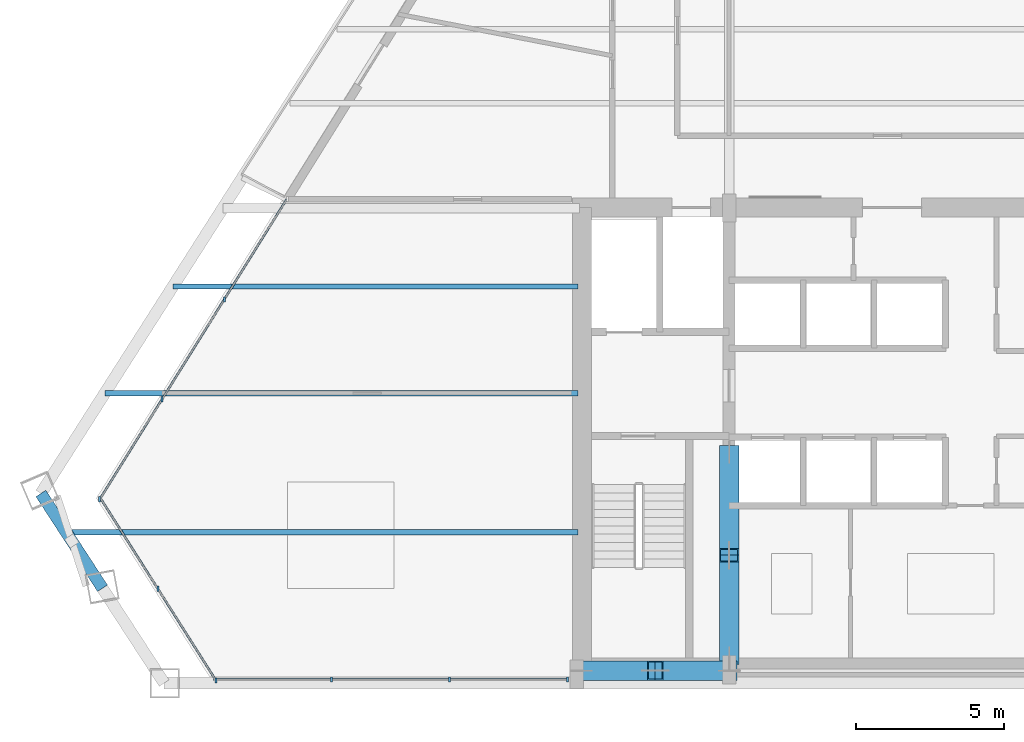
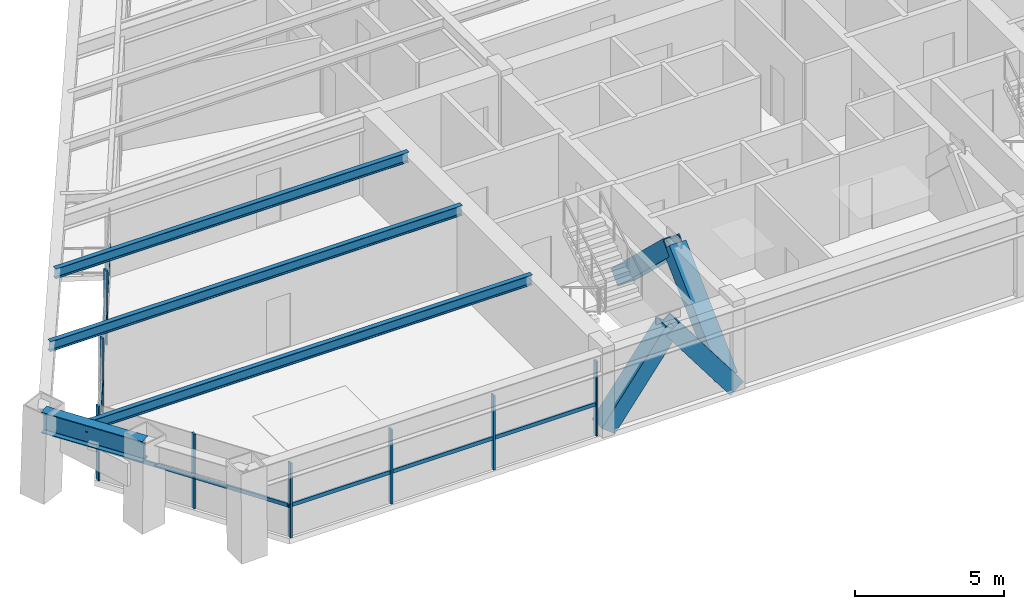
# One storey, part 2 of 15: 20 members, 4 beams, 3 elements without a shape of their own.
"""IFC4 building model written with IfcOpenShell, lengths in metres."""

from ifc_helpers import new_model, si_unit, direction, frame, origin, origin_2d, place, context, subcontext, project, spatial, rectangle, hollow_rectangle, i_section, extrude, source, transform, mapped, material, material_profile, profile_set, type_object, type_shapes, element, aggregate, save


model = new_model("IFC4")

# Units and contexts
model_context = context("Model", 3, precision=1e-05, world=origin(), true_north=direction((0.0, 1.0)))
body_context = subcontext(model_context, "Body", "Model", "MODEL_VIEW")
ifc_project = project(units=[si_unit("LENGTHUNIT", "METRE"), si_unit("AREAUNIT", "SQUARE_METRE"), si_unit("VOLUMEUNIT", "CUBIC_METRE"), si_unit("PLANEANGLEUNIT", "RADIAN"), si_unit("MASSUNIT", "GRAM", prefix="KILO")], contexts=[model_context])

# Site, building, storey
site_placement = place(None, origin())
site = spatial("IfcSite", under=ifc_project, at=site_placement, CompositionType="ELEMENT")
building_placement = place(site_placement, origin())
building = spatial("IfcBuilding", under=site, at=building_placement, Name="Varnakhor Terracotta Tower", CompositionType="ELEMENT")
storey_placement = place(building_placement, frame((0.0, 0.0, 182.10009765625)))
storey = spatial("IfcBuildingStorey", under=building, at=storey_placement, Name="L46", CompositionType="ELEMENT", Elevation=182.10009765625)

# Members
ifc_material_1 = material(Name="Steel S460", Category="steel")
ifc_material_profile_1 = material_profile(ifc_material_1, hollow_rectangle(XDim=0.64990234375, YDim=0.64990234375, WallThickness=0.0400390625, at=origin_2d()), Name="HSS650X650X40")
ifc_profile_set_1 = profile_set([ifc_material_profile_1], Name="Steel S460")
member_type_1 = type_object("IfcMemberType", Name="MBR-MEGA-650", PredefinedType="BRACE", material=ifc_profile_set_1)
shared_shape_1 = source(origin(), body_context, "Body", "SweptSolid", [
    extrude(hollow_rectangle(XDim=0.64990234375, YDim=0.64990234375, WallThickness=0.0400390625, at=origin_2d()), origin(), (0.0, 0.0, 1.0), 4.15576171875),
])
for number, where, z_axis, x_axis, name in (
    (1, (-10.5, 0.419921875, 0.0), (0.601559152872, 0.0, 0.798828257886), (0.0, 1.0, 0.0), "L46 Core Coupled Brace CSWA"),
    (2, (-5.5, 0.419921875, 0.0), (-0.601559152872, 0.0, 0.798828257886), (0.0, -1.0, 0.0), "L46 Core Coupled Brace CSWB"),
):
    element("IfcMember", number, at=place(storey_placement, frame(where, z_axis=z_axis, x_axis=x_axis)), inside=storey, type_object=member_type_1, Name=name, PredefinedType="BRACE", context=body_context, shape_type="MappedRepresentation", body=[
        mapped(shared_shape_1, transform((0.0, 0.0, 0.0), scale=1.0)),
    ])
shared_shape_2 = source(origin(), body_context, "Body", "SweptSolid", [
    extrude(hollow_rectangle(XDim=0.64990234375, YDim=0.64990234375, WallThickness=0.0400390625, at=origin_2d()), origin(), (0.0, 0.0, 1.0), 4.805908203125),
])
for number, where, z_axis, x_axis, name in (
    (3, (-5.5, 0.85009765625, 0.0), (0.0, 0.72305215055, 0.690793447845), (-1.0, 0.0, 0.0), "L46 Core Coupled Brace CWWA"),
    (4, (-5.5, 7.800048828125, 0.0), (0.0, -0.723076391278, 0.690768074231), (1.0, 0.0, 0.0), "L46 Core Coupled Brace CWWB"),
):
    element("IfcMember", number, at=place(storey_placement, frame(where, z_axis=z_axis, x_axis=x_axis)), inside=storey, type_object=member_type_1, Name=name, PredefinedType="BRACE", context=body_context, shape_type="MappedRepresentation", body=[
        mapped(shared_shape_2, transform((0.0, 0.0, 0.0), scale=1.0)),
    ])

# Beams
ifc_material_2 = material(Name="Steel S355", Category="steel")
ifc_material_profile_2 = material_profile(ifc_material_2, i_section(OverallWidth=0.39990234375, OverallDepth=0.85498046875, WebThickness=0.01806640625, FlangeThickness=0.029052734375, FilletRadius=0.01806640625, at=origin_2d()), Name="W33X201")
ifc_profile_set_2 = profile_set([ifc_material_profile_2], Name="Steel S355")
beam_type_1 = type_object("IfcBeamType", Name="BM-W33X201", PredefinedType="BEAM", material=ifc_profile_set_2)
shared_shape_3 = source(origin(), body_context, "Body", "SweptSolid", [
    extrude(i_section(OverallWidth=0.39990234375, OverallDepth=0.85498046875, WebThickness=0.01806640625, FlangeThickness=0.029052734375, FilletRadius=0.01806640625, at=origin_2d()), origin(), (0.0, 0.0, 1.0), 3.821533203125),
])
beam_1_placement = place(storey_placement, frame((-28.760009765625, 6.408447265625, 3.04248046875), z_axis=(0.544887296057, -0.838509293088, 0.0), x_axis=(0.838509293088, 0.544887296057, 0.0)))
element("IfcBeam", 5, at=beam_1_placement, inside=storey, type_object=beam_type_1, Name="L46 Perimeter Spandrel 7", PredefinedType="BEAM", context=body_context, shape_type="MappedRepresentation", body=[
    mapped(shared_shape_3, transform((0.0, 0.0, 0.0), scale=1.0)),
])
ifc_material_profile_3 = material_profile(ifc_material_2, i_section(OverallWidth=0.179931640625, OverallDepth=0.4130859375, WebThickness=0.009765625, FlangeThickness=0.01611328125, FilletRadius=0.01806640625, at=origin_2d()), Name="W16X50")
ifc_profile_set_3 = profile_set([ifc_material_profile_3], Name="Steel S355")
beam_type_2 = type_object("IfcBeamType", Name="JST-W16X50", PredefinedType="JOIST", material=ifc_profile_set_3)
shared_shape_4 = source(origin(), body_context, "Body", "SweptSolid", [
    extrude(i_section(OverallWidth=0.179931640625, OverallDepth=0.4130859375, WebThickness=0.009765625, FlangeThickness=0.01611328125, FilletRadius=0.01806640625, at=origin_2d()), origin(), (0.0, 0.0, 1.0), 17.309814453125),
])
beam_2_placement = place(storey_placement, frame((-27.909912109375, 5.10009765625, 3.263427734375), z_axis=(1.0, 0.0, 0.0), x_axis=(0.0, 1.0, 0.0)))
element("IfcBeam", 6, at=beam_2_placement, inside=storey, type_object=beam_type_2, Name="L46 Floor Joist W1", PredefinedType="JOIST", context=body_context, shape_type="MappedRepresentation", body=[
    mapped(shared_shape_4, transform((0.0, 0.0, 0.0), scale=1.0)),
])
shared_shape_5 = source(origin(), body_context, "Body", "SweptSolid", [
    extrude(i_section(OverallWidth=0.179931640625, OverallDepth=0.4130859375, WebThickness=0.009765625, FlangeThickness=0.01611328125, FilletRadius=0.01806640625, at=origin_2d()), origin(), (0.0, 0.0, 1.0), 15.997314453125),
])
beam_3_placement = place(storey_placement, frame((-26.597412109375, 9.800048828125, 3.263427734375), z_axis=(1.0, 0.0, 0.0), x_axis=(0.0, 1.0, 0.0)))
element("IfcBeam", 7, at=beam_3_placement, inside=storey, type_object=beam_type_2, Name="L46 Floor Joist W2", PredefinedType="JOIST", context=body_context, shape_type="MappedRepresentation", body=[
    mapped(shared_shape_5, transform((0.0, 0.0, 0.0), scale=1.0)),
])
shared_shape_6 = source(origin(), body_context, "Body", "SweptSolid", [
    extrude(i_section(OverallWidth=0.179931640625, OverallDepth=0.4130859375, WebThickness=0.009765625, FlangeThickness=0.01611328125, FilletRadius=0.01806640625, at=origin_2d()), origin(), (0.0, 0.0, 1.0), 13.70166015625),
])
beam_4_placement = place(storey_placement, frame((-24.3017578125, 13.39990234375, 3.263427734375), z_axis=(1.0, 0.0, 0.0), x_axis=(0.0, 1.0, 0.0)))
element("IfcBeam", 8, at=beam_4_placement, inside=storey, type_object=beam_type_2, Name="L46 Floor Joist W3", PredefinedType="JOIST", context=body_context, shape_type="MappedRepresentation", body=[
    mapped(shared_shape_6, transform((0.0, 0.0, 0.0), scale=1.0)),
])

# Curtain wall, members
ifc_material_3 = material(Name="Anodised Aluminium Curtain Wall System", Category="aluminium")
curtain_wall_type = type_object("IfcCurtainWallType", Name="CW-SYS-MID-OFFICE", PredefinedType="NOTDEFINED", material=ifc_material_3)
curtain_wall_1_placement = place(storey_placement, origin())
curtain_wall_1 = element("IfcCurtainWall", 9, at=curtain_wall_1_placement, inside=storey, type_object=curtain_wall_type, Name="L46 W Facet Curtain Wall 1", PredefinedType="NOTDEFINED")
ifc_material_4 = material(Name="Anodised Aluminium 6063-T6", Category="aluminium")
ifc_material_profile_4 = material_profile(ifc_material_4, rectangle(XDim=0.070068359375, YDim=0.175048828125, at=origin_2d()), Name="ALU MULLION 70x175")
ifc_profile_set_4 = profile_set([ifc_material_profile_4], Name="Anodised Aluminium 6063-T6")
member_type_2 = type_object("IfcMemberType", Name="CWM-03", PredefinedType="MULLION", material=ifc_profile_set_4)
shared_shape_7 = source(origin(), body_context, "Body", "SweptSolid", [
    extrude(rectangle(XDim=0.070068359375, YDim=0.175048828125, at=origin_2d()), origin(), (0.0, 0.0, 1.0), 3.0498046875),
])
type_shapes(member_type_2, [shared_shape_7])
member_1_placement = place(storey_placement, frame((-26.77197265625, 6.21044921875, 0.0), z_axis=(0.0, 0.0, 1.0), x_axis=(1.0, 0.0, 0.0)))
member_1 = element("IfcMember", 10, at=member_1_placement, type_object=member_type_2, Name="L46 W Facet Curtain Wall 1 Mullion 1", PredefinedType="MULLION", context=body_context, shape_type="MappedRepresentation", body=[
    mapped(shared_shape_7, transform((0.0, 0.0, 0.0), scale=1.0)),
])
member_2_placement = place(storey_placement, frame((-24.66650390625, 9.58935546875, 0.0), z_axis=(0.0, 0.0, 1.0), x_axis=(1.0, 0.0, 0.0)))
member_2 = element("IfcMember", 11, at=member_2_placement, type_object=member_type_2, Name="L46 W Facet Curtain Wall 1 Mullion 2", PredefinedType="MULLION", context=body_context, shape_type="MappedRepresentation", body=[
    mapped(shared_shape_7, transform((0.0, 0.0, 0.0), scale=1.0)),
])
member_3_placement = place(storey_placement, frame((-22.56103515625, 12.96826171875, 0.0), z_axis=(0.0, 0.0, 1.0), x_axis=(1.0, 0.0, 0.0)))
member_3 = element("IfcMember", 12, at=member_3_placement, type_object=member_type_2, Name="L46 W Facet Curtain Wall 1 Mullion 3", PredefinedType="MULLION", context=body_context, shape_type="MappedRepresentation", body=[
    mapped(shared_shape_7, transform((0.0, 0.0, 0.0), scale=1.0)),
])

curtain_wall_2_placement = place(storey_placement, origin())
curtain_wall_2 = element("IfcCurtainWall", 13, at=curtain_wall_2_placement, inside=storey, type_object=curtain_wall_type, Name="L46 South Wing Curtain Wall SSW", PredefinedType="NOTDEFINED")
member_4_placement = place(storey_placement, frame((-10.969970703125, 0.1201171875, 0.0), z_axis=(0.0, 0.0, 1.0), x_axis=(1.0, 0.0, 0.0)))
member_4 = element("IfcMember", 14, at=member_4_placement, type_object=member_type_2, Name="L46 South Wing Curtain Wall SSW Mullion 1", PredefinedType="MULLION", context=body_context, shape_type="MappedRepresentation", body=[
    mapped(shared_shape_7, transform((0.0, 0.0, 0.0), scale=1.0)),
])
member_5_placement = place(storey_placement, frame((-14.952880859375, 0.1201171875, 0.0), z_axis=(0.0, 0.0, 1.0), x_axis=(1.0, 0.0, 0.0)))
member_5 = element("IfcMember", 15, at=member_5_placement, type_object=member_type_2, Name="L46 South Wing Curtain Wall SSW Mullion 2", PredefinedType="MULLION", context=body_context, shape_type="MappedRepresentation", body=[
    mapped(shared_shape_7, transform((0.0, 0.0, 0.0), scale=1.0)),
])
member_6_placement = place(storey_placement, frame((-18.93603515625, 0.1201171875, 0.0), z_axis=(0.0, 0.0, 1.0), x_axis=(1.0, 0.0, 0.0)))
member_6 = element("IfcMember", 16, at=member_6_placement, type_object=member_type_2, Name="L46 South Wing Curtain Wall SSW Mullion 3", PredefinedType="MULLION", context=body_context, shape_type="MappedRepresentation", body=[
    mapped(shared_shape_7, transform((0.0, 0.0, 0.0), scale=1.0)),
])

curtain_wall_3_placement = place(storey_placement, origin())
curtain_wall_3 = element("IfcCurtainWall", 17, at=curtain_wall_3_placement, inside=storey, type_object=curtain_wall_type, Name="L46 Facet Curtain Wall 6", PredefinedType="NOTDEFINED")
member_7_placement = place(storey_placement, frame((-22.84375, 0.089599609375, 0.0), z_axis=(0.0, 0.0, 1.0), x_axis=(1.0, 0.0, 0.0)))
member_7 = element("IfcMember", 18, at=member_7_placement, type_object=member_type_2, Name="L46 Facet Curtain Wall 6 Mullion 1", PredefinedType="MULLION", context=body_context, shape_type="MappedRepresentation", body=[
    mapped(shared_shape_7, transform((0.0, 0.0, 0.0), scale=1.0)),
])
member_8_placement = place(storey_placement, frame((-24.80810546875, 3.1884765625, 0.0), z_axis=(0.0, 0.0, 1.0), x_axis=(1.0, 0.0, 0.0)))
member_8 = element("IfcMember", 19, at=member_8_placement, type_object=member_type_2, Name="L46 Facet Curtain Wall 6 Mullion 2", PredefinedType="MULLION", context=body_context, shape_type="MappedRepresentation", body=[
    mapped(shared_shape_7, transform((0.0, 0.0, 0.0), scale=1.0)),
])

# Member
ifc_material_profile_5 = material_profile(ifc_material_4, rectangle(XDim=0.070068359375, YDim=0.155029296875, at=origin_2d()), Name="ALU TRANSOM 70x155")
ifc_profile_set_5 = profile_set([ifc_material_profile_5], Name="Anodised Aluminium 6063-T6")
member_type_3 = type_object("IfcMemberType", Name="CWT-03", PredefinedType="USERDEFINED", material=ifc_profile_set_5)
shared_shape_8 = source(origin(), body_context, "Body", "SweptSolid", [
    extrude(rectangle(XDim=0.070068359375, YDim=0.155029296875, at=origin_2d()), origin(), (0.0, 0.0, 1.0), 3.981201171875),
])
member_9_placement = place(storey_placement, frame((-26.77197265625, 6.21044921875, 1.281005859375), z_axis=(0.528851917051, 0.84871411549, 0.0), x_axis=(-0.84871411549, 0.528851917051, 0.0)))
member_9 = element("IfcMember", 20, at=member_9_placement, type_object=member_type_3, Name="L46 W Facet Curtain Wall 1 Transom 1", ObjectType="TRANSOM", PredefinedType="USERDEFINED", context=body_context, shape_type="MappedRepresentation", body=[
    mapped(shared_shape_8, transform((0.0, 0.0, 0.0), scale=1.0)),
])

member_10_placement = place(storey_placement, frame((-24.66650390625, 9.58935546875, 1.281005859375), z_axis=(0.528851917051, 0.84871411549, 0.0), x_axis=(-0.84871411549, 0.528851917051, 0.0)))
member_10 = element("IfcMember", 21, at=member_10_placement, type_object=member_type_3, Name="L46 W Facet Curtain Wall 1 Transom 2", ObjectType="TRANSOM", PredefinedType="USERDEFINED", context=body_context, shape_type="MappedRepresentation", body=[
    mapped(shared_shape_8, transform((0.0, 0.0, 0.0), scale=1.0)),
])

shared_shape_9 = source(origin(), body_context, "Body", "SweptSolid", [
    extrude(rectangle(XDim=0.070068359375, YDim=0.155029296875, at=origin_2d()), origin(), (0.0, 0.0, 1.0), 3.98095703125),
])
member_11_placement = place(storey_placement, frame((-22.56103515625, 12.96826171875, 1.281005859375), z_axis=(0.528879442794, 0.848696962991, 0.0), x_axis=(-0.848696962991, 0.528879442794, 0.0)))
member_11 = element("IfcMember", 22, at=member_11_placement, type_object=member_type_3, Name="L46 W Facet Curtain Wall 1 Transom 3", ObjectType="TRANSOM", PredefinedType="USERDEFINED", context=body_context, shape_type="MappedRepresentation", body=[
    mapped(shared_shape_9, transform((0.0, 0.0, 0.0), scale=1.0)),
])

aggregate(curtain_wall_1, [member_1, member_9, member_2, member_10, member_3, member_11])

shared_shape_10 = source(origin(), body_context, "Body", "SweptSolid", [
    extrude(rectangle(XDim=0.070068359375, YDim=0.155029296875, at=origin_2d()), origin(), (0.0, 0.0, 1.0), 3.98291015625),
])
member_12_placement = place(storey_placement, frame((-10.969970703125, 0.1201171875, 1.281005859375), z_axis=(-1.0, 0.0, 0.0), x_axis=(0.0, -1.0, 0.0)))
member_12 = element("IfcMember", 23, at=member_12_placement, type_object=member_type_3, Name="L46 South Wing Curtain Wall SSW Transom 1", ObjectType="TRANSOM", PredefinedType="USERDEFINED", context=body_context, shape_type="MappedRepresentation", body=[
    mapped(shared_shape_10, transform((0.0, 0.0, 0.0), scale=1.0)),
])

shared_shape_11 = source(origin(), body_context, "Body", "SweptSolid", [
    extrude(rectangle(XDim=0.070068359375, YDim=0.155029296875, at=origin_2d()), origin(), (0.0, 0.0, 1.0), 3.983154296875),
])
member_13_placement = place(storey_placement, frame((-14.952880859375, 0.1201171875, 1.281005859375), z_axis=(-1.0, 0.0, 0.0), x_axis=(0.0, -1.0, 0.0)))
member_13 = element("IfcMember", 24, at=member_13_placement, type_object=member_type_3, Name="L46 South Wing Curtain Wall SSW Transom 2", ObjectType="TRANSOM", PredefinedType="USERDEFINED", context=body_context, shape_type="MappedRepresentation", body=[
    mapped(shared_shape_11, transform((0.0, 0.0, 0.0), scale=1.0)),
])

member_14_placement = place(storey_placement, frame((-18.93603515625, 0.1201171875, 1.281005859375), z_axis=(-1.0, 0.0, 0.0), x_axis=(0.0, -1.0, 0.0)))
member_14 = element("IfcMember", 25, at=member_14_placement, type_object=member_type_3, Name="L46 South Wing Curtain Wall SSW Transom 3", ObjectType="TRANSOM", PredefinedType="USERDEFINED", context=body_context, shape_type="MappedRepresentation", body=[
    mapped(shared_shape_11, transform((0.0, 0.0, 0.0), scale=1.0)),
])

aggregate(curtain_wall_2, [member_4, member_12, member_5, member_13, member_6, member_14])

shared_shape_12 = source(origin(), body_context, "Body", "SweptSolid", [
    extrude(rectangle(XDim=0.070068359375, YDim=0.155029296875, at=origin_2d()), origin(), (0.0, 0.0, 1.0), 3.6689453125),
])
member_15_placement = place(storey_placement, frame((-22.84375, 0.089599609375, 1.281005859375), z_axis=(-0.5353892291, 0.844605454259, 0.0), x_axis=(-0.844605454259, -0.5353892291, 0.0)))
member_15 = element("IfcMember", 26, at=member_15_placement, type_object=member_type_3, Name="L46 Facet Curtain Wall 6 Transom 1", ObjectType="TRANSOM", PredefinedType="USERDEFINED", context=body_context, shape_type="MappedRepresentation", body=[
    mapped(shared_shape_12, transform((0.0, 0.0, 0.0), scale=1.0)),
])

member_16_placement = place(storey_placement, frame((-24.80810546875, 3.1884765625, 1.281005859375), z_axis=(-0.535341758953, 0.844635543368, 0.0), x_axis=(-0.844635543368, -0.535341758953, 0.0)))
member_16 = element("IfcMember", 27, at=member_16_placement, type_object=member_type_3, Name="L46 Facet Curtain Wall 6 Transom 2", ObjectType="TRANSOM", PredefinedType="USERDEFINED", context=body_context, shape_type="MappedRepresentation", body=[
    mapped(shared_shape_12, transform((0.0, 0.0, 0.0), scale=1.0)),
])

aggregate(curtain_wall_3, [member_7, member_15, member_8, member_16])

save(model, "model.ifc")
